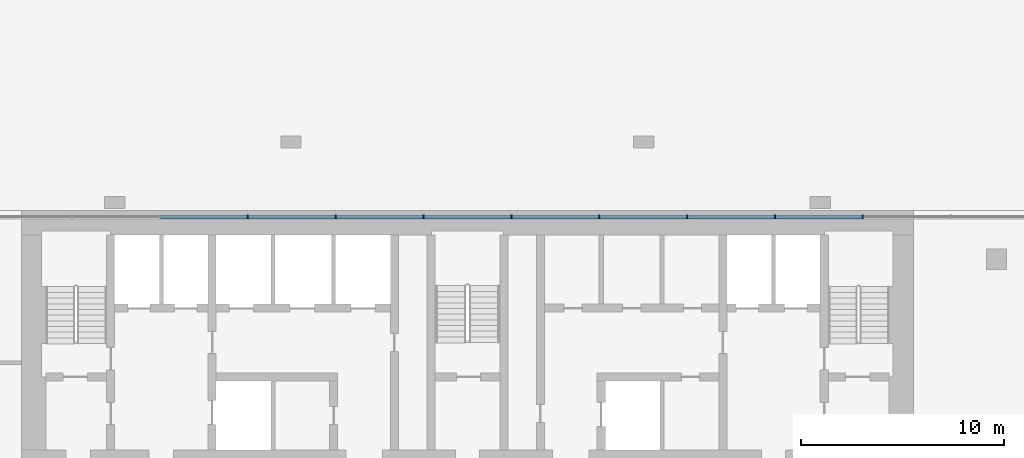
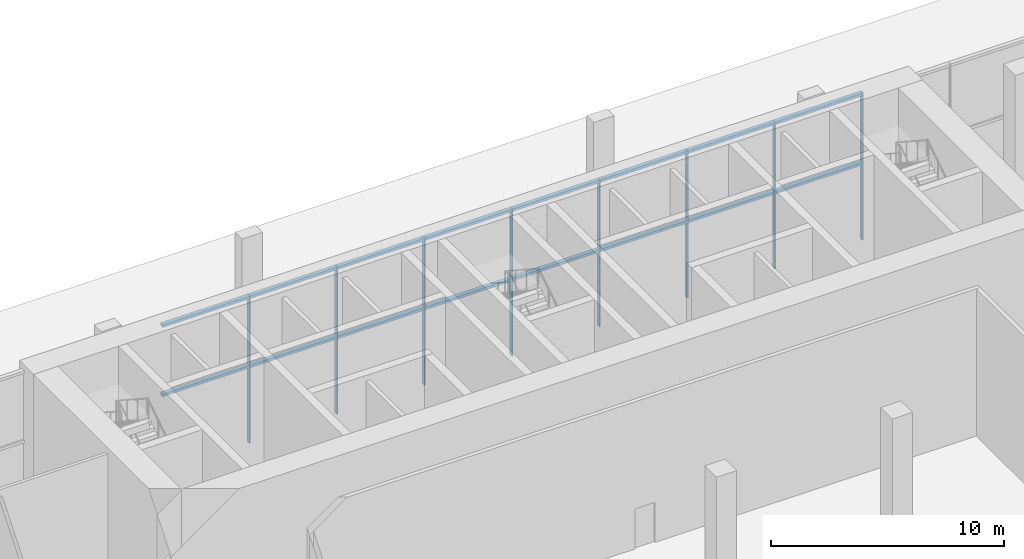
# One storey, part 14 of 31: 24 members, 1 element without a shape of its own.
"""IFC4 building model written with IfcOpenShell, lengths in metres."""

from ifc_helpers import new_model, si_unit, direction, frame, origin, origin_2d, place, context, subcontext, project, spatial, rectangle, extrude, material, material_profile, profile_set, type_object, element, aggregate, save


model = new_model("IFC4")

# Units and contexts
model_context = context("Model", 3, precision=1e-05, world=origin(), true_north=direction((0.0, 1.0)))
body_context = subcontext(model_context, "Body", "Model", "MODEL_VIEW")
ifc_project = project(units=[si_unit("LENGTHUNIT", "METRE"), si_unit("AREAUNIT", "SQUARE_METRE"), si_unit("VOLUMEUNIT", "CUBIC_METRE"), si_unit("PLANEANGLEUNIT", "RADIAN"), si_unit("MASSUNIT", "GRAM", prefix="KILO")], contexts=[model_context])

# Site, building, storey
site_placement = place(None, origin())
site = spatial("IfcSite", under=ifc_project, at=site_placement, CompositionType="ELEMENT")
building_placement = place(site_placement, origin())
building = spatial("IfcBuilding", under=site, at=building_placement, Name="Bicima Exchange Tower", CompositionType="ELEMENT")
storey_placement = place(building_placement, origin())
storey = spatial("IfcBuildingStorey", under=building, at=storey_placement, Name="L00", CompositionType="ELEMENT", Elevation=0.0)

# Curtain wall, members
ifc_material = material(Name="Anodised bronze aluminium", Category="aluminium")
curtain_wall_type = type_object("IfcCurtainWallType", Name="Lobby glazing", PredefinedType="NOTDEFINED", material=ifc_material)
curtain_wall_placement = place(storey_placement, origin())
curtain_wall = element("IfcCurtainWall", 1, at=curtain_wall_placement, inside=storey, type_object=curtain_wall_type, Name="Podium glazing L00 north 5", PredefinedType="NOTDEFINED")
ifc_material_profile_1 = material_profile(ifc_material, rectangle(XDim=0.199951171875, YDim=0.06005859375, at=origin_2d()))
ifc_profile_set_1 = profile_set([ifc_material_profile_1], Name="Anodised bronze aluminium")
member_type_1 = type_object("IfcMemberType", Name="Lobby glazing mullion 60 x 200", PredefinedType="MULLION", material=ifc_profile_set_1)
member_1_placement = place(storey_placement, frame((19.502197265625, -0.300048828125, 0.0), z_axis=(0.0, 0.0, 1.0), x_axis=(0.0, -1.0, 0.0)))
member_1 = element("IfcMember", 2, at=member_1_placement, type_object=member_type_1, Name="Lobby glazing mullion 3", PredefinedType="MULLION", context=body_context, shape_type="SweptSolid", body=[
    extrude(rectangle(XDim=0.199951171875, YDim=0.06005859375, at=origin_2d()), origin(), (0.0, 0.0, 1.0), 7.699951171875),
])
member_2_placement = place(storey_placement, frame((15.16845703125, -0.300048828125, 0.0), z_axis=(0.0, 0.0, 1.0), x_axis=(0.0, -1.0, 0.0)))
member_2 = element("IfcMember", 3, at=member_2_placement, type_object=member_type_1, Name="Lobby glazing mullion 4", PredefinedType="MULLION", context=body_context, shape_type="SweptSolid", body=[
    extrude(rectangle(XDim=0.199951171875, YDim=0.06005859375, at=origin_2d()), origin(), (0.0, 0.0, 1.0), 7.699951171875),
])
member_3_placement = place(storey_placement, frame((10.834716796875, -0.300048828125, 0.0), z_axis=(0.0, 0.0, 1.0), x_axis=(0.0, -1.0, 0.0)))
member_3 = element("IfcMember", 4, at=member_3_placement, type_object=member_type_1, Name="Lobby glazing mullion 5", PredefinedType="MULLION", context=body_context, shape_type="SweptSolid", body=[
    extrude(rectangle(XDim=0.199951171875, YDim=0.06005859375, at=origin_2d()), origin(), (0.0, 0.0, 1.0), 7.699951171875),
])
member_4_placement = place(storey_placement, frame((6.500732421875, -0.300048828125, 0.0), z_axis=(0.0, 0.0, 1.0), x_axis=(0.0, -1.0, 0.0)))
member_4 = element("IfcMember", 5, at=member_4_placement, type_object=member_type_1, Name="Lobby glazing mullion 6", PredefinedType="MULLION", context=body_context, shape_type="SweptSolid", body=[
    extrude(rectangle(XDim=0.199951171875, YDim=0.06005859375, at=origin_2d()), origin(), (0.0, 0.0, 1.0), 7.699951171875),
])
member_5_placement = place(storey_placement, frame((2.1669921875, -0.300048828125, 0.0), z_axis=(0.0, 0.0, 1.0), x_axis=(0.0, -1.0, 0.0)))
member_5 = element("IfcMember", 6, at=member_5_placement, type_object=member_type_1, Name="Lobby glazing mullion 7", PredefinedType="MULLION", context=body_context, shape_type="SweptSolid", body=[
    extrude(rectangle(XDim=0.199951171875, YDim=0.06005859375, at=origin_2d()), origin(), (0.0, 0.0, 1.0), 7.699951171875),
])
member_6_placement = place(storey_placement, frame((-2.1669921875, -0.300048828125, 0.0), z_axis=(0.0, 0.0, 1.0), x_axis=(0.0, -1.0, 0.0)))
member_6 = element("IfcMember", 7, at=member_6_placement, type_object=member_type_1, Name="Lobby glazing mullion 8", PredefinedType="MULLION", context=body_context, shape_type="SweptSolid", body=[
    extrude(rectangle(XDim=0.199951171875, YDim=0.06005859375, at=origin_2d()), origin(), (0.0, 0.0, 1.0), 7.699951171875),
])
member_7_placement = place(storey_placement, frame((-6.500732421875, -0.300048828125, 0.0), z_axis=(0.0, 0.0, 1.0), x_axis=(0.0, -1.0, 0.0)))
member_7 = element("IfcMember", 8, at=member_7_placement, type_object=member_type_1, Name="Lobby glazing mullion 9", PredefinedType="MULLION", context=body_context, shape_type="SweptSolid", body=[
    extrude(rectangle(XDim=0.199951171875, YDim=0.06005859375, at=origin_2d()), origin(), (0.0, 0.0, 1.0), 7.699951171875),
])
member_8_placement = place(storey_placement, frame((-10.834716796875, -0.300048828125, 0.0), z_axis=(0.0, 0.0, 1.0), x_axis=(0.0, -1.0, 0.0)))
member_8 = element("IfcMember", 9, at=member_8_placement, type_object=member_type_1, Name="Lobby glazing mullion 10", PredefinedType="MULLION", context=body_context, shape_type="SweptSolid", body=[
    extrude(rectangle(XDim=0.199951171875, YDim=0.06005859375, at=origin_2d()), origin(), (0.0, 0.0, 1.0), 7.699951171875),
])
ifc_material_profile_2 = material_profile(ifc_material, rectangle(XDim=0.199951171875, YDim=0.139892578125, at=origin_2d()))
ifc_profile_set_2 = profile_set([ifc_material_profile_2], Name="Anodised bronze aluminium")
member_type_2 = type_object("IfcMemberType", Name="Lobby glazing transom 140 x 200", PredefinedType="USERDEFINED", material=ifc_profile_set_2)
member_9_placement = place(storey_placement, frame((19.472412109375, -0.300048828125, 4.0), z_axis=(-1.0, 0.0, 0.0), x_axis=(0.0, -1.0, 0.0)))
member_9 = element("IfcMember", 10, at=member_9_placement, type_object=member_type_2, Name="Lobby glazing transom 3.1", ObjectType="TRANSOM", PredefinedType="USERDEFINED", context=body_context, shape_type="SweptSolid", body=[
    extrude(rectangle(XDim=0.199951171875, YDim=0.139892578125, at=origin_2d()), origin(), (0.0, 0.0, 1.0), 4.27392578125),
])
member_10_placement = place(storey_placement, frame((19.472412109375, -0.300048828125, 7.6298828125), z_axis=(-1.0, 0.0, 0.0), x_axis=(0.0, -1.0, 0.0)))
member_10 = element("IfcMember", 11, at=member_10_placement, type_object=member_type_2, Name="Lobby glazing transom 3.2", ObjectType="TRANSOM", PredefinedType="USERDEFINED", context=body_context, shape_type="SweptSolid", body=[
    extrude(rectangle(XDim=0.199951171875, YDim=0.139892578125, at=origin_2d()), origin(), (0.0, 0.0, 1.0), 4.27392578125),
])
member_11_placement = place(storey_placement, frame((15.138427734375, -0.300048828125, 4.0), z_axis=(-1.0, 0.0, 0.0), x_axis=(0.0, -1.0, 0.0)))
member_11 = element("IfcMember", 12, at=member_11_placement, type_object=member_type_2, Name="Lobby glazing transom 4.1", ObjectType="TRANSOM", PredefinedType="USERDEFINED", context=body_context, shape_type="SweptSolid", body=[
    extrude(rectangle(XDim=0.199951171875, YDim=0.139892578125, at=origin_2d()), origin(), (0.0, 0.0, 1.0), 4.27392578125),
])
member_12_placement = place(storey_placement, frame((15.138427734375, -0.300048828125, 7.6298828125), z_axis=(-1.0, 0.0, 0.0), x_axis=(0.0, -1.0, 0.0)))
member_12 = element("IfcMember", 13, at=member_12_placement, type_object=member_type_2, Name="Lobby glazing transom 4.2", ObjectType="TRANSOM", PredefinedType="USERDEFINED", context=body_context, shape_type="SweptSolid", body=[
    extrude(rectangle(XDim=0.199951171875, YDim=0.139892578125, at=origin_2d()), origin(), (0.0, 0.0, 1.0), 4.27392578125),
])
member_13_placement = place(storey_placement, frame((10.8046875, -0.300048828125, 4.0), z_axis=(-1.0, 0.0, 0.0), x_axis=(0.0, -1.0, 0.0)))
member_13 = element("IfcMember", 14, at=member_13_placement, type_object=member_type_2, Name="Lobby glazing transom 5.1", ObjectType="TRANSOM", PredefinedType="USERDEFINED", context=body_context, shape_type="SweptSolid", body=[
    extrude(rectangle(XDim=0.199951171875, YDim=0.139892578125, at=origin_2d()), origin(), (0.0, 0.0, 1.0), 4.27392578125),
])
member_14_placement = place(storey_placement, frame((10.8046875, -0.300048828125, 7.6298828125), z_axis=(-1.0, 0.0, 0.0), x_axis=(0.0, -1.0, 0.0)))
member_14 = element("IfcMember", 15, at=member_14_placement, type_object=member_type_2, Name="Lobby glazing transom 5.2", ObjectType="TRANSOM", PredefinedType="USERDEFINED", context=body_context, shape_type="SweptSolid", body=[
    extrude(rectangle(XDim=0.199951171875, YDim=0.139892578125, at=origin_2d()), origin(), (0.0, 0.0, 1.0), 4.27392578125),
])
member_15_placement = place(storey_placement, frame((6.470703125, -0.300048828125, 4.0), z_axis=(-1.0, 0.0, 0.0), x_axis=(0.0, -1.0, 0.0)))
member_15 = element("IfcMember", 16, at=member_15_placement, type_object=member_type_2, Name="Lobby glazing transom 6.1", ObjectType="TRANSOM", PredefinedType="USERDEFINED", context=body_context, shape_type="SweptSolid", body=[
    extrude(rectangle(XDim=0.199951171875, YDim=0.139892578125, at=origin_2d()), origin(), (0.0, 0.0, 1.0), 4.273681640625),
])
member_16_placement = place(storey_placement, frame((6.470703125, -0.300048828125, 7.6298828125), z_axis=(-1.0, 0.0, 0.0), x_axis=(0.0, -1.0, 0.0)))
member_16 = element("IfcMember", 17, at=member_16_placement, type_object=member_type_2, Name="Lobby glazing transom 6.2", ObjectType="TRANSOM", PredefinedType="USERDEFINED", context=body_context, shape_type="SweptSolid", body=[
    extrude(rectangle(XDim=0.199951171875, YDim=0.139892578125, at=origin_2d()), origin(), (0.0, 0.0, 1.0), 4.273681640625),
])
member_17_placement = place(storey_placement, frame((2.136962890625, -0.300048828125, 4.0), z_axis=(-1.0, 0.0, 0.0), x_axis=(0.0, -1.0, 0.0)))
member_17 = element("IfcMember", 18, at=member_17_placement, type_object=member_type_2, Name="Lobby glazing transom 7.1", ObjectType="TRANSOM", PredefinedType="USERDEFINED", context=body_context, shape_type="SweptSolid", body=[
    extrude(rectangle(XDim=0.199951171875, YDim=0.139892578125, at=origin_2d()), origin(), (0.0, 0.0, 1.0), 4.27392578125),
])
member_18_placement = place(storey_placement, frame((2.136962890625, -0.300048828125, 7.6298828125), z_axis=(-1.0, 0.0, 0.0), x_axis=(0.0, -1.0, 0.0)))
member_18 = element("IfcMember", 19, at=member_18_placement, type_object=member_type_2, Name="Lobby glazing transom 7.2", ObjectType="TRANSOM", PredefinedType="USERDEFINED", context=body_context, shape_type="SweptSolid", body=[
    extrude(rectangle(XDim=0.199951171875, YDim=0.139892578125, at=origin_2d()), origin(), (0.0, 0.0, 1.0), 4.27392578125),
])
member_19_placement = place(storey_placement, frame((-2.197021484375, -0.300048828125, 4.0), z_axis=(-1.0, 0.0, 0.0), x_axis=(0.0, -1.0, 0.0)))
member_19 = element("IfcMember", 20, at=member_19_placement, type_object=member_type_2, Name="Lobby glazing transom 8.1", ObjectType="TRANSOM", PredefinedType="USERDEFINED", context=body_context, shape_type="SweptSolid", body=[
    extrude(rectangle(XDim=0.199951171875, YDim=0.139892578125, at=origin_2d()), origin(), (0.0, 0.0, 1.0), 4.273681640625),
])
member_20_placement = place(storey_placement, frame((-2.197021484375, -0.300048828125, 7.6298828125), z_axis=(-1.0, 0.0, 0.0), x_axis=(0.0, -1.0, 0.0)))
member_20 = element("IfcMember", 21, at=member_20_placement, type_object=member_type_2, Name="Lobby glazing transom 8.2", ObjectType="TRANSOM", PredefinedType="USERDEFINED", context=body_context, shape_type="SweptSolid", body=[
    extrude(rectangle(XDim=0.199951171875, YDim=0.139892578125, at=origin_2d()), origin(), (0.0, 0.0, 1.0), 4.273681640625),
])
member_21_placement = place(storey_placement, frame((-6.53076171875, -0.300048828125, 4.0), z_axis=(-1.0, 0.0, 0.0), x_axis=(0.0, -1.0, 0.0)))
member_21 = element("IfcMember", 22, at=member_21_placement, type_object=member_type_2, Name="Lobby glazing transom 9.1", ObjectType="TRANSOM", PredefinedType="USERDEFINED", context=body_context, shape_type="SweptSolid", body=[
    extrude(rectangle(XDim=0.199951171875, YDim=0.139892578125, at=origin_2d()), origin(), (0.0, 0.0, 1.0), 4.27392578125),
])
member_22_placement = place(storey_placement, frame((-6.53076171875, -0.300048828125, 7.6298828125), z_axis=(-1.0, 0.0, 0.0), x_axis=(0.0, -1.0, 0.0)))
member_22 = element("IfcMember", 23, at=member_22_placement, type_object=member_type_2, Name="Lobby glazing transom 9.2", ObjectType="TRANSOM", PredefinedType="USERDEFINED", context=body_context, shape_type="SweptSolid", body=[
    extrude(rectangle(XDim=0.199951171875, YDim=0.139892578125, at=origin_2d()), origin(), (0.0, 0.0, 1.0), 4.27392578125),
])
member_23_placement = place(storey_placement, frame((-10.864501953125, -0.300048828125, 4.0), z_axis=(-1.0, 0.0, 0.0), x_axis=(0.0, -1.0, 0.0)))
member_23 = element("IfcMember", 24, at=member_23_placement, type_object=member_type_2, Name="Lobby glazing transom 10.1", ObjectType="TRANSOM", PredefinedType="USERDEFINED", context=body_context, shape_type="SweptSolid", body=[
    extrude(rectangle(XDim=0.199951171875, YDim=0.139892578125, at=origin_2d()), origin(), (0.0, 0.0, 1.0), 4.27392578125),
])
member_24_placement = place(storey_placement, frame((-10.864501953125, -0.300048828125, 7.6298828125), z_axis=(-1.0, 0.0, 0.0), x_axis=(0.0, -1.0, 0.0)))
member_24 = element("IfcMember", 25, at=member_24_placement, type_object=member_type_2, Name="Lobby glazing transom 10.2", ObjectType="TRANSOM", PredefinedType="USERDEFINED", context=body_context, shape_type="SweptSolid", body=[
    extrude(rectangle(XDim=0.199951171875, YDim=0.139892578125, at=origin_2d()), origin(), (0.0, 0.0, 1.0), 4.27392578125),
])
aggregate(curtain_wall, [member_1, member_2, member_3, member_4, member_5, member_6, member_7, member_8, member_9, member_10, member_11, member_12, member_13, member_14, member_15, member_16, member_17, member_18, member_19, member_20, member_21, member_22, member_23, member_24])

save(model, "model.ifc")
